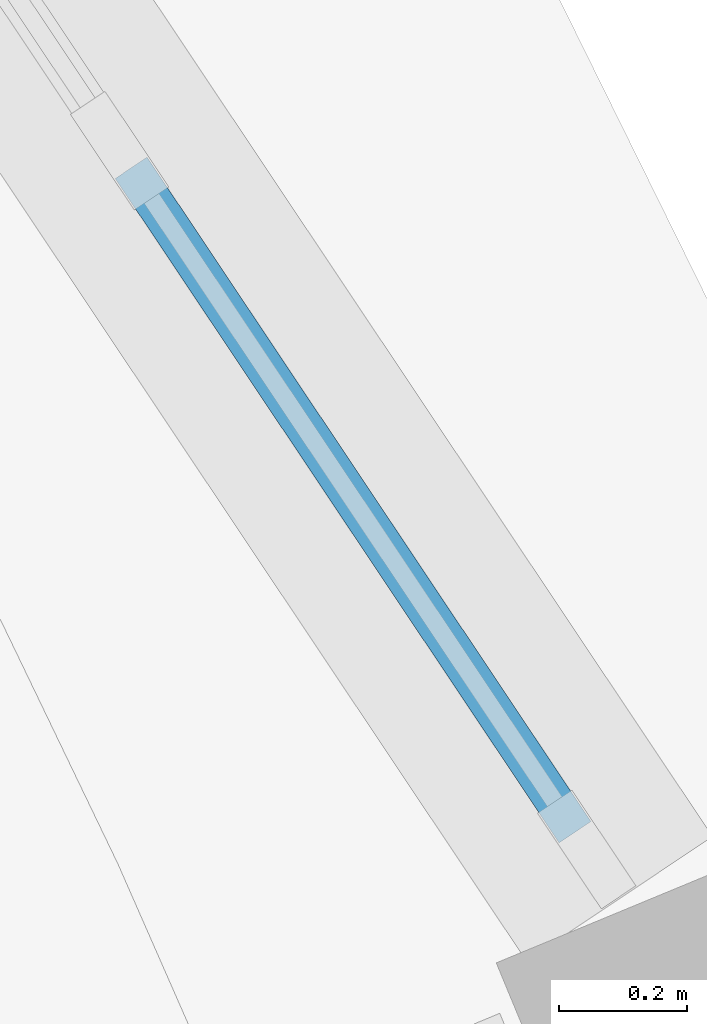
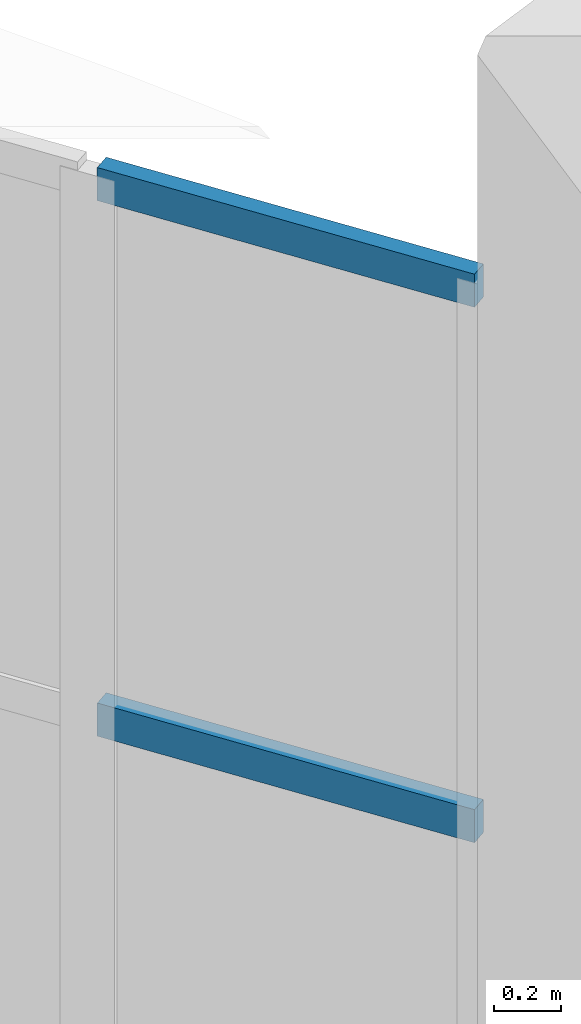
# One storey, part 49 of 92: 2 members, 1 element without a shape of its own.
"""IFC4 building model written with IfcOpenShell, lengths in metres."""

from ifc_helpers import new_model, si_unit, direction, frame, origin, origin_2d, place, context, subcontext, project, spatial, rectangle, extrude, material, layer, layer_set, material_profile, profile_set, type_object, element, aggregate, save


model = new_model("IFC4")

# Units and contexts
model_context = context("Model", 3, precision=1e-05, world=origin(), true_north=direction((0.0, 1.0)))
body_context = subcontext(model_context, "Body", "Model", "MODEL_VIEW")
ifc_project = project(units=[si_unit("LENGTHUNIT", "METRE"), si_unit("AREAUNIT", "SQUARE_METRE"), si_unit("VOLUMEUNIT", "CUBIC_METRE"), si_unit("PLANEANGLEUNIT", "RADIAN"), si_unit("MASSUNIT", "GRAM", prefix="KILO")], contexts=[model_context])

# Site, building, storey
site_placement = place(None, origin())
site = spatial("IfcSite", under=ifc_project, at=site_placement, CompositionType="ELEMENT")
building_placement = place(site_placement, origin())
building = spatial("IfcBuilding", under=site, at=building_placement, Name="Caldaven Crescent School", CompositionType="ELEMENT")
storey_placement = place(building_placement, origin())
storey = spatial("IfcBuildingStorey", under=building, at=storey_placement, Name="L00", CompositionType="ELEMENT", Elevation=0.0)

# Curtain wall, members
ifc_material_1 = material(Name="Anodised aluminium AA 6063-T6 and low-E double glazing", Category="aluminium")
ifc_layer = layer(ifc_material_1, 0.18994140625)
ifc_layer_set = layer_set([ifc_layer], Name="Anodised aluminium AA 6063-T6 and low-E double glazing")
curtain_wall_type = type_object("IfcCurtainWallType", Name="CW-SYS2", PredefinedType="NOTDEFINED", material=ifc_layer_set)
curtain_wall_placement = place(storey_placement, origin())
curtain_wall = element("IfcCurtainWall", 1, at=curtain_wall_placement, inside=storey, type_object=curtain_wall_type, Name="CW-L00-001", PredefinedType="NOTDEFINED")
ifc_material_2 = material(Name="Anodised aluminium AA 6063-T6", Category="aluminium")
ifc_material_profile = material_profile(ifc_material_2, rectangle(XDim=0.06005859375, YDim=0.1201171875, at=origin_2d()), Name="CWT 60x120")
ifc_profile_set = profile_set([ifc_material_profile], Name="Anodised aluminium AA 6063-T6")
member_type = type_object("IfcMemberType", Name="CWT-T1", PredefinedType="USERDEFINED", material=ifc_profile_set)
member_1_placement = place(storey_placement, frame((168.431884765625, 105.55029296875, 1.427978515625), z_axis=(-0.555601528316, 0.831448700602, 0.0), x_axis=(-0.831448700602, -0.555601528316, 0.0)))
member_1 = element("IfcMember", 2, at=member_1_placement, type_object=member_type, Name="CW2 transom 1.2", ObjectType="TRANSOM", PredefinedType="USERDEFINED", context=body_context, shape_type="SweptSolid", body=[
    extrude(rectangle(XDim=0.06005859375, YDim=0.1201171875, at=origin_2d()), origin(), (0.0, 0.0, 1.0), 1.249755859375),
])
member_2_placement = place(storey_placement, frame((168.431884765625, 105.55029296875, 3.3701171875), z_axis=(-0.555601528316, 0.831448700602, 0.0), x_axis=(-0.831448700602, -0.555601528316, 0.0)))
member_2 = element("IfcMember", 3, at=member_2_placement, type_object=member_type, Name="CW2 transom 1.3", ObjectType="TRANSOM", PredefinedType="USERDEFINED", context=body_context, shape_type="SweptSolid", body=[
    extrude(rectangle(XDim=0.06005859375, YDim=0.1201171875, at=origin_2d()), origin(), (0.0, 0.0, 1.0), 1.249755859375),
])
aggregate(curtain_wall, [member_1, member_2])

save(model, "model.ifc")
